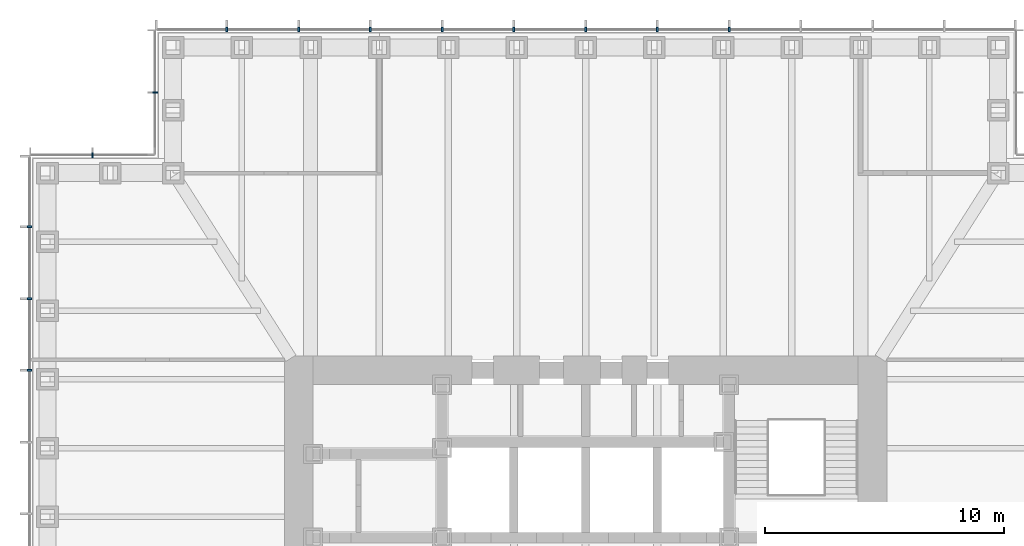
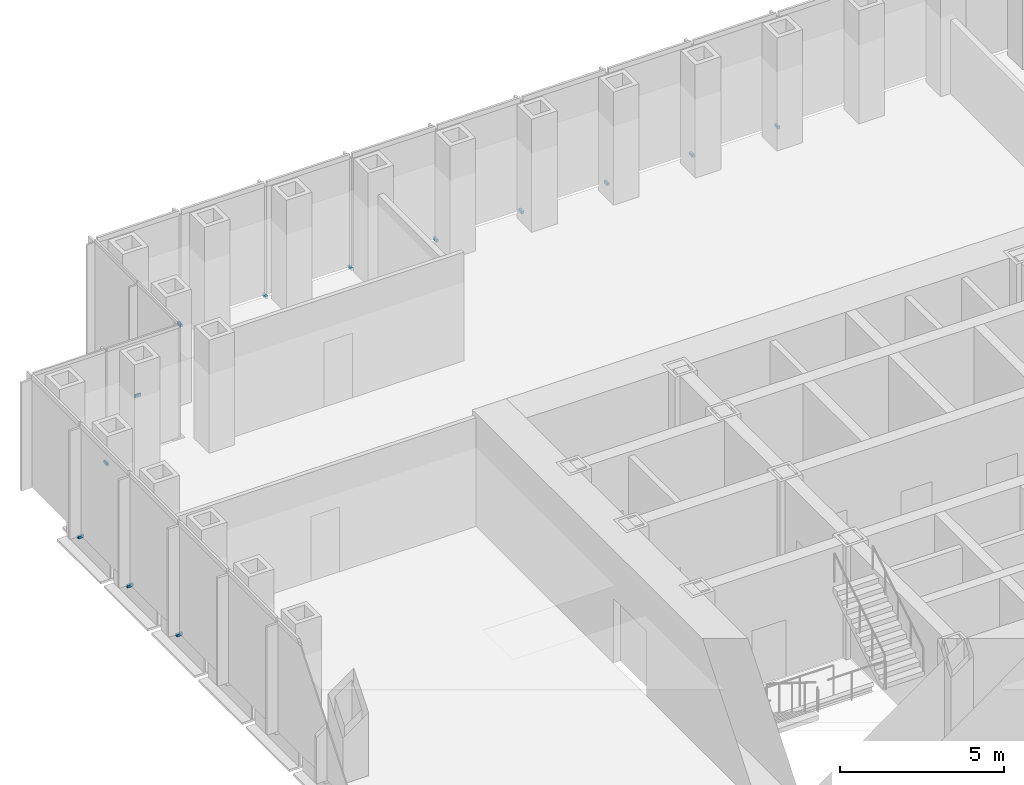
# One storey, part 14 of 16: 13 discrete accessories.
"""IFC4 building model written with IfcOpenShell, lengths in metres."""

from ifc_helpers import new_model, si_unit, direction, frame, origin, origin_2d, place, context, subcontext, project, spatial, rectangle, extrude, element, save


model = new_model("IFC4")

# Units and contexts
model_context = context("Model", 3, precision=1e-05, world=origin(), true_north=direction((0.0, 1.0)))
body_context = subcontext(model_context, "Body", "Model", "MODEL_VIEW")
ifc_project = project(units=[si_unit("LENGTHUNIT", "METRE"), si_unit("AREAUNIT", "SQUARE_METRE"), si_unit("VOLUMEUNIT", "CUBIC_METRE"), si_unit("PLANEANGLEUNIT", "RADIAN"), si_unit("MASSUNIT", "GRAM", prefix="KILO")], contexts=[model_context])

# Site, building, storey
site_placement = place(None, origin())
site = spatial("IfcSite", under=ifc_project, at=site_placement, CompositionType="ELEMENT")
building_placement = place(site_placement, origin())
building = spatial("IfcBuilding", under=site, at=building_placement, Name="Daluyong Arena Tower", CompositionType="ELEMENT")
storey_placement = place(building_placement, frame((0.0, 0.0, 116.5)))
storey = spatial("IfcBuildingStorey", under=building, at=storey_placement, Name="L25", CompositionType="ELEMENT", Elevation=116.5)

# Discrete accessories
for number, where, z_axis, x_axis, name in (
    (1, (62.0, 103.25, -0.10009765625), (0.0, 0.0, 1.0), (-1.0, 0.0, 0.0), "curtain wall L25 N anchor bracket 5"),
    (2, (59.0, 103.25, -0.10009765625), (0.0, 0.0, 1.0), (-1.0, 0.0, 0.0), "curtain wall L25 N anchor bracket 6"),
    (3, (56.0, 103.25, -0.10009765625), (0.0, 0.0, 1.0), (-1.0, 0.0, 0.0), "curtain wall L25 N anchor bracket 7"),
    (4, (53.0, 103.25, -0.10009765625), (0.0, 0.0, 1.0), (-1.0, 0.0, 0.0), "curtain wall L25 N anchor bracket 8"),
    (5, (50.0, 103.25, -0.10009765625), (0.0, 0.0, 1.0), (-1.0, 0.0, 0.0), "curtain wall L25 N anchor bracket 9"),
    (6, (47.0, 103.25, -0.10009765625), (0.0, 0.0, 1.0), (-1.0, 0.0, 0.0), "curtain wall L25 N anchor bracket 10"),
    (7, (44.0, 103.25, -0.10009765625), (0.0, 0.0, 1.0), (-1.0, 0.0, 0.0), "curtain wall L25 N anchor bracket 11"),
    (8, (41.0, 103.25, -0.10009765625), (0.0, 0.0, 1.0), (-1.0, 0.0, 0.0), "curtain wall L25 N anchor bracket 12"),
):
    element("IfcDiscreteAccessory", number, at=place(storey_placement, frame(where, z_axis=z_axis, x_axis=x_axis)), inside=storey, Name=name, PredefinedType="BRACKET", context=body_context, shape_type="SweptSolid", body=[
        extrude(rectangle(XDim=0.080078125, YDim=0.199951171875, at=origin_2d()), origin(), (0.0, 0.0, 1.0), 0.10009765625),
    ])
for number, where, z_axis, x_axis, name in (
    (9, (38.0, 100.625, -0.10009765625), (0.0, 0.0, 1.0), (0.0, -1.0, 0.0), "curtain wall L25 NW-W anchor bracket 2"),
    (10, (35.375, 98.0, -0.10009765625), (0.0, 0.0, 1.0), (-1.0, 0.0, 0.0), "curtain wall L25 NW-N anchor bracket 2"),
):
    element("IfcDiscreteAccessory", number, at=place(storey_placement, frame(where, z_axis=z_axis, x_axis=x_axis)), inside=storey, Name=name, PredefinedType="BRACKET", context=body_context, shape_type="SweptSolid", body=[
        extrude(rectangle(XDim=0.06005859375, YDim=0.199951171875, at=origin_2d()), origin(), (0.0, 0.0, 1.0), 0.10009765625),
    ])
for number, where, z_axis, x_axis, name in (
    (11, (32.75, 95.0, -0.10009765625), (0.0, 0.0, 1.0), (0.0, -1.0, 0.0), "curtain wall L25 W anchor bracket 2"),
    (12, (32.75, 92.0, -0.10009765625), (0.0, 0.0, 1.0), (0.0, -1.0, 0.0), "curtain wall L25 W anchor bracket 3"),
    (13, (32.75, 89.0, -0.10009765625), (0.0, 0.0, 1.0), (0.0, -1.0, 0.0), "curtain wall L25 W anchor bracket 4"),
):
    element("IfcDiscreteAccessory", number, at=place(storey_placement, frame(where, z_axis=z_axis, x_axis=x_axis)), inside=storey, Name=name, PredefinedType="BRACKET", context=body_context, shape_type="SweptSolid", body=[
        extrude(rectangle(XDim=0.080078125, YDim=0.199951171875, at=origin_2d()), origin(), (0.0, 0.0, 1.0), 0.10009765625),
    ])

save(model, "model.ifc")
